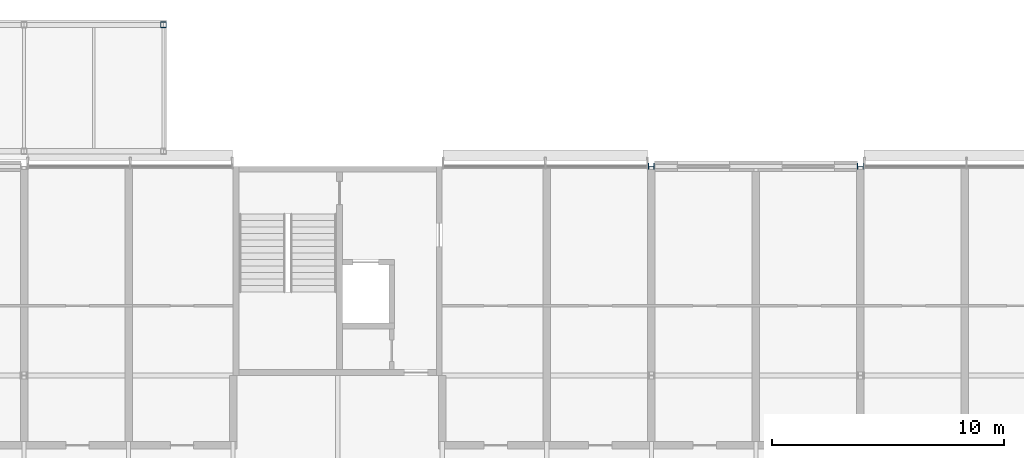
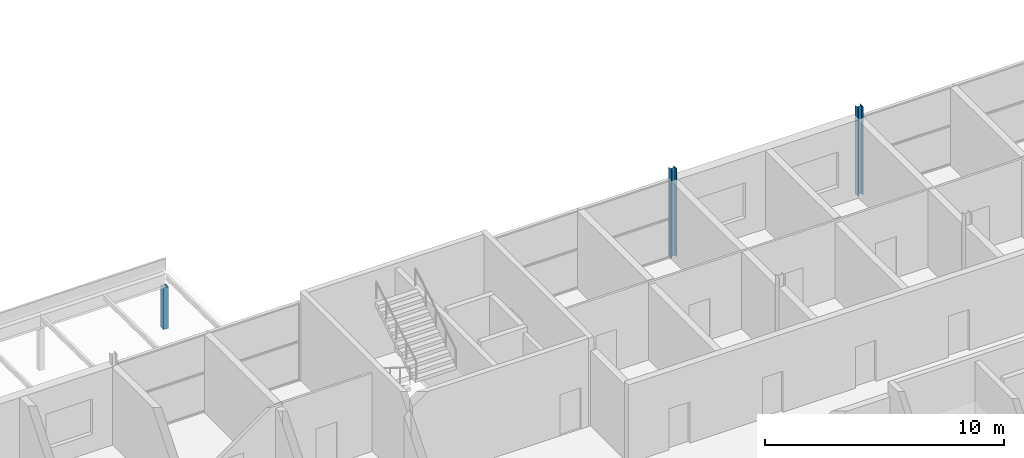
# One storey, part 20 of 97: 3 columns.
"""IFC4 building model written with IfcOpenShell, lengths in metres."""

from ifc_helpers import new_model, si_unit, direction, frame, origin, origin_2d, place, context, subcontext, project, spatial, hollow_rectangle, i_section, extrude, material, material_profile, profile_set, type_object, element, save


model = new_model("IFC4")

# Units and contexts
model_context = context("Model", 3, precision=1e-05, world=origin(), true_north=direction((0.0, 1.0)))
body_context = subcontext(model_context, "Body", "Model", "MODEL_VIEW")
ifc_project = project(units=[si_unit("LENGTHUNIT", "METRE"), si_unit("AREAUNIT", "SQUARE_METRE"), si_unit("VOLUMEUNIT", "CUBIC_METRE"), si_unit("PLANEANGLEUNIT", "RADIAN"), si_unit("MASSUNIT", "GRAM", prefix="KILO")], contexts=[model_context])

# Site, building, storey
site_placement = place(None, origin())
site = spatial("IfcSite", under=ifc_project, at=site_placement, CompositionType="ELEMENT")
building_placement = place(site_placement, origin())
building = spatial("IfcBuilding", under=site, at=building_placement, Name="Corbel Yard City Hall", CompositionType="ELEMENT")
storey_placement = place(building_placement, frame((0.0, 0.0, 6.0)))
storey = spatial("IfcBuildingStorey", under=building, at=storey_placement, Name="L01", CompositionType="ELEMENT", Elevation=6.0)

# Columns
ifc_material_1 = material(Name="Steel Grade 300 (300 MPa yield)", Category="steel")
ifc_material_profile_1 = material_profile(ifc_material_1, i_section(OverallWidth=0.256103515625, OverallDepth=0.260009765625, WebThickness=0.010498046875, FlangeThickness=0.017333984375, at=origin_2d()), Name="250UC89.5")
ifc_profile_set_1 = profile_set([ifc_material_profile_1], Name="Steel Grade 300 (300 MPa yield)")
column_type_1 = type_object("IfcColumnType", Name="Column 250UC89.5", PredefinedType="COLUMN", material=ifc_profile_set_1)
for number, where, z_axis, x_axis, name in (
    (1, (117.0, 117.0, 0.0), (0.0, 0.0, 1.0), (0.0, 1.0, 0.0), "Column 250UC89.5 N/14 L01"),
    (2, (126.0, 117.0, 0.0), (0.0, 0.0, 1.0), (0.0, 1.0, 0.0), "Column 250UC89.5 N/15 L01"),
):
    element("IfcColumn", number, at=place(storey_placement, frame(where, z_axis=z_axis, x_axis=x_axis)), inside=storey, type_object=column_type_1, Name=name, PredefinedType="COLUMN", context=body_context, shape_type="SweptSolid", body=[
        extrude(i_section(OverallWidth=0.256103515625, OverallDepth=0.260009765625, WebThickness=0.010498046875, FlangeThickness=0.017333984375, at=origin_2d()), origin(), (0.0, 0.0, 1.0), 4.5),
    ])
ifc_material_2 = material(Name="Steel Grade C450L0", Category="steel")
ifc_material_profile_2 = material_profile(ifc_material_2, hollow_rectangle(XDim=0.25, YDim=0.25, WallThickness=0.012451171875, at=origin_2d()), Name="250x250x12.5SHS")
ifc_profile_set_2 = profile_set([ifc_material_profile_2], Name="Steel Grade C450L0")
column_type_2 = type_object("IfcColumnType", Name="Portico Column 250x250x12.5SHS", PredefinedType="COLUMN", material=ifc_profile_set_2)
column_placement = place(storey_placement, frame((96.0, 123.10009765625, 0.0), z_axis=(0.0, 0.0, 1.0), x_axis=(1.0, 0.0, 0.0)))
element("IfcColumn", 3, at=column_placement, inside=storey, type_object=column_type_2, Name="Portico Column F04", PredefinedType="COLUMN", context=body_context, shape_type="SweptSolid", body=[
    extrude(hollow_rectangle(XDim=0.25, YDim=0.25, WallThickness=0.012451171875, at=origin_2d()), origin(), (0.0, 0.0, 1.0), 2.1318359375),
])

save(model, "model.ifc")
